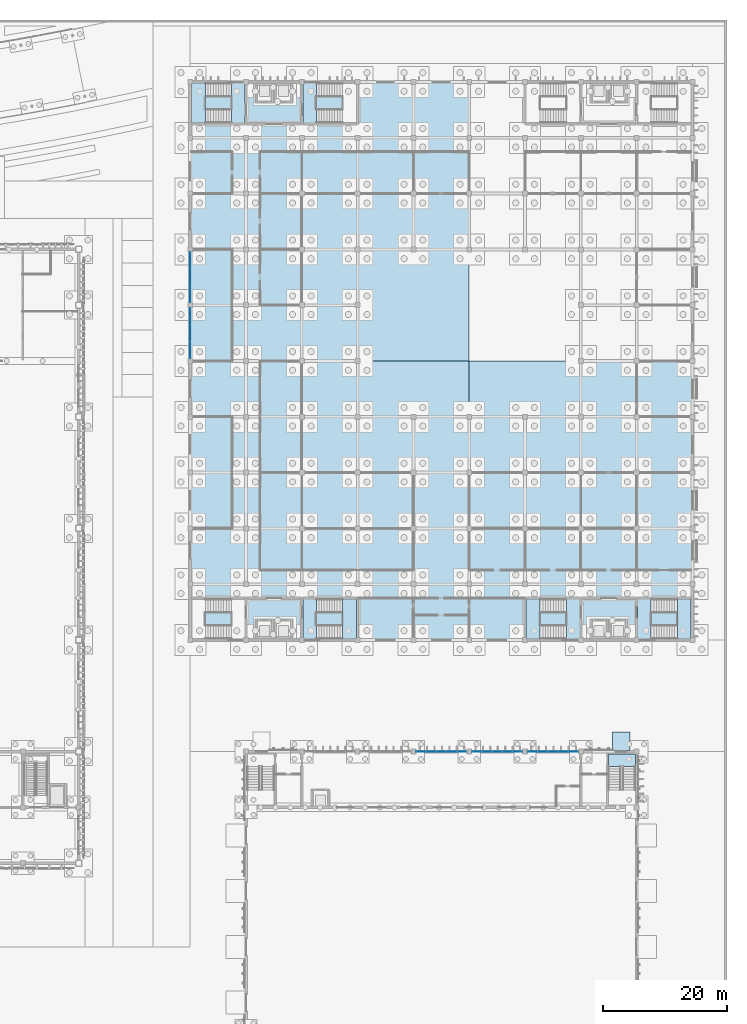
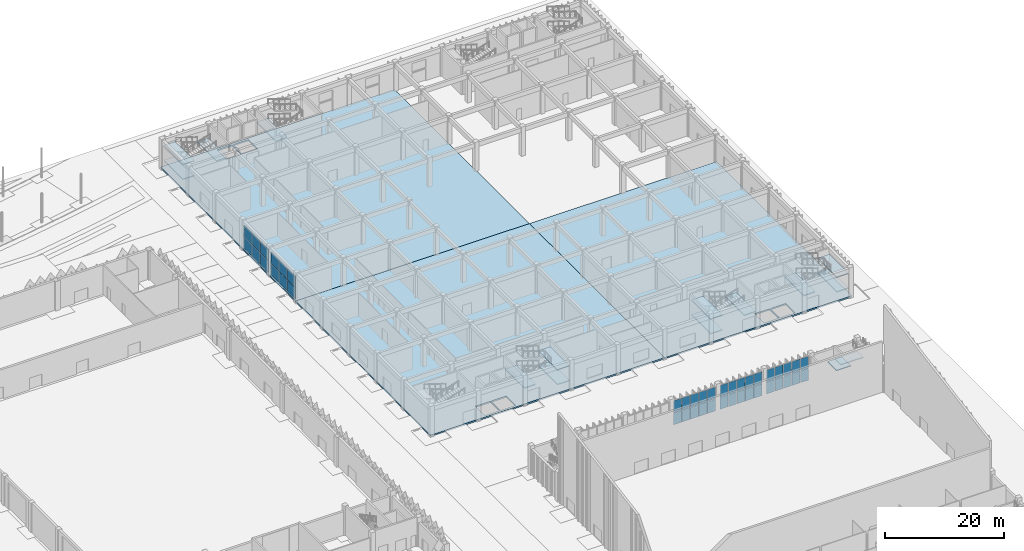
# One storey, part 75 of 198: 42 plates, 18 slabs, 11 elements without a shape of their own.
"""IFC4 building model written with IfcOpenShell, lengths in metres."""

from ifc_helpers import new_model, si_unit, direction, frame, origin, origin_2d, place, context, subcontext, project, spatial, polyline, rectangle, outline, extrude, material, layer, layer_set, type_object, element, aggregate, save


model = new_model("IFC4")

# Units and contexts
model_context = context("Model", 3, precision=1e-05, world=origin(), true_north=direction((0.0, 1.0)))
body_context = subcontext(model_context, "Body", "Model", "MODEL_VIEW")
ifc_project = project(units=[si_unit("LENGTHUNIT", "METRE"), si_unit("AREAUNIT", "SQUARE_METRE"), si_unit("VOLUMEUNIT", "CUBIC_METRE"), si_unit("PLANEANGLEUNIT", "RADIAN"), si_unit("MASSUNIT", "GRAM", prefix="KILO")], contexts=[model_context])

# Site, building, storey
site_placement = place(None, origin())
site = spatial("IfcSite", under=ifc_project, at=site_placement, CompositionType="ELEMENT")
building_placement = place(site_placement, origin())
building = spatial("IfcBuilding", under=site, at=building_placement, Name="Opaline Strait Convention Centre", CompositionType="ELEMENT")
storey_placement = place(building_placement, origin())
storey = spatial("IfcBuildingStorey", under=building, at=storey_placement, Name="L00", CompositionType="ELEMENT", Elevation=0.0)

# Curtain wall, plates
ifc_material_1 = material(Name="Aluminium 6063-T5", Category="aluminium")
ifc_layer_1 = layer(ifc_material_1, 0.199951171875)
ifc_layer_set_1 = layer_set([ifc_layer_1], Name="Aluminium 6063-T5")
curtain_wall_type_1 = type_object("IfcCurtainWallType", Name="Unitised curtain wall 1640 module", PredefinedType="NOTDEFINED", material=ifc_layer_set_1)
curtain_wall_1_placement = place(storey_placement, origin())
curtain_wall_1 = element("IfcCurtainWall", 1, at=curtain_wall_1_placement, inside=storey, type_object=curtain_wall_type_1, Name="Ballroom north curtain wall L00 bay 4", PredefinedType="NOTDEFINED")
ifc_material_2 = material(Name="Double glazed unit low emissivity", Category="glass")
ifc_layer_2 = layer(ifc_material_2, 0.028076171875)
ifc_layer_set_2 = layer_set([ifc_layer_2], Name="Double glazed unit low emissivity")
plate_type = type_object("IfcPlateType", Name="Curtain wall glass panel 28", PredefinedType="CURTAIN_PANEL", material=ifc_layer_set_2)
plate_1_placement = place(storey_placement, frame((316.23486328125, 72.0, 0.06005859375), z_axis=(0.0, 0.0, 1.0), x_axis=(1.0, 0.0, 0.0)))
plate_1 = element("IfcPlate", 2, at=plate_1_placement, type_object=plate_type, Name="BG2 panel 1.1", PredefinedType="CURTAIN_PANEL", context=body_context, shape_type="SweptSolid", body=[
    extrude(rectangle(XDim=1.550048828125, YDim=0.028076171875, at=origin_2d()), origin(), (0.0, 0.0, 1.0), 2.419921875),
])
plate_2_placement = place(storey_placement, frame((316.23486328125, 72.0, 2.5400390625), z_axis=(0.0, 0.0, 1.0), x_axis=(1.0, 0.0, 0.0)))
plate_2 = element("IfcPlate", 3, at=plate_2_placement, type_object=plate_type, Name="BG2 panel 1.2", PredefinedType="CURTAIN_PANEL", context=body_context, shape_type="SweptSolid", body=[
    extrude(rectangle(XDim=1.550048828125, YDim=0.028076171875, at=origin_2d()), origin(), (0.0, 0.0, 1.0), 2.419921875),
])
plate_3_placement = place(storey_placement, frame((317.85986328125, 72.0, 0.06005859375), z_axis=(0.0, 0.0, 1.0), x_axis=(1.0, 0.0, 0.0)))
plate_3 = element("IfcPlate", 4, at=plate_3_placement, type_object=plate_type, Name="BG2 panel 2.1", PredefinedType="CURTAIN_PANEL", context=body_context, shape_type="SweptSolid", body=[
    extrude(rectangle(XDim=1.580078125, YDim=0.028076171875, at=origin_2d()), origin(), (0.0, 0.0, 1.0), 2.419921875),
])
plate_4_placement = place(storey_placement, frame((317.85986328125, 72.0, 2.5400390625), z_axis=(0.0, 0.0, 1.0), x_axis=(1.0, 0.0, 0.0)))
plate_4 = element("IfcPlate", 5, at=plate_4_placement, type_object=plate_type, Name="BG2 panel 2.2", PredefinedType="CURTAIN_PANEL", context=body_context, shape_type="SweptSolid", body=[
    extrude(rectangle(XDim=1.580078125, YDim=0.028076171875, at=origin_2d()), origin(), (0.0, 0.0, 1.0), 2.419921875),
])
plate_5_placement = place(storey_placement, frame((319.5, 72.0, 0.06005859375), z_axis=(0.0, 0.0, 1.0), x_axis=(1.0, 0.0, 0.0)))
plate_5 = element("IfcPlate", 6, at=plate_5_placement, type_object=plate_type, Name="BG2 panel 3.1", PredefinedType="CURTAIN_PANEL", context=body_context, shape_type="SweptSolid", body=[
    extrude(rectangle(XDim=1.580078125, YDim=0.028076171875, at=origin_2d()), origin(), (0.0, 0.0, 1.0), 2.419921875),
])
plate_6_placement = place(storey_placement, frame((319.5, 72.0, 2.5400390625), z_axis=(0.0, 0.0, 1.0), x_axis=(1.0, 0.0, 0.0)))
plate_6 = element("IfcPlate", 7, at=plate_6_placement, type_object=plate_type, Name="BG2 panel 3.2", PredefinedType="CURTAIN_PANEL", context=body_context, shape_type="SweptSolid", body=[
    extrude(rectangle(XDim=1.580078125, YDim=0.028076171875, at=origin_2d()), origin(), (0.0, 0.0, 1.0), 2.419921875),
])
plate_7_placement = place(storey_placement, frame((321.14013671875, 72.0, 0.06005859375), z_axis=(0.0, 0.0, 1.0), x_axis=(1.0, 0.0, 0.0)))
plate_7 = element("IfcPlate", 8, at=plate_7_placement, type_object=plate_type, Name="BG2 panel 4.1", PredefinedType="CURTAIN_PANEL", context=body_context, shape_type="SweptSolid", body=[
    extrude(rectangle(XDim=1.580078125, YDim=0.028076171875, at=origin_2d()), origin(), (0.0, 0.0, 1.0), 2.419921875),
])
plate_8_placement = place(storey_placement, frame((321.14013671875, 72.0, 2.5400390625), z_axis=(0.0, 0.0, 1.0), x_axis=(1.0, 0.0, 0.0)))
plate_8 = element("IfcPlate", 9, at=plate_8_placement, type_object=plate_type, Name="BG2 panel 4.2", PredefinedType="CURTAIN_PANEL", context=body_context, shape_type="SweptSolid", body=[
    extrude(rectangle(XDim=1.580078125, YDim=0.028076171875, at=origin_2d()), origin(), (0.0, 0.0, 1.0), 2.419921875),
])
plate_9_placement = place(storey_placement, frame((322.76513671875, 72.0, 0.06005859375), z_axis=(0.0, 0.0, 1.0), x_axis=(1.0, 0.0, 0.0)))
plate_9 = element("IfcPlate", 10, at=plate_9_placement, type_object=plate_type, Name="BG2 panel 5.1", PredefinedType="CURTAIN_PANEL", context=body_context, shape_type="SweptSolid", body=[
    extrude(rectangle(XDim=1.550048828125, YDim=0.028076171875, at=origin_2d()), origin(), (0.0, 0.0, 1.0), 2.419921875),
])
plate_10_placement = place(storey_placement, frame((322.76513671875, 72.0, 2.5400390625), z_axis=(0.0, 0.0, 1.0), x_axis=(1.0, 0.0, 0.0)))
plate_10 = element("IfcPlate", 11, at=plate_10_placement, type_object=plate_type, Name="BG2 panel 5.2", PredefinedType="CURTAIN_PANEL", context=body_context, shape_type="SweptSolid", body=[
    extrude(rectangle(XDim=1.550048828125, YDim=0.028076171875, at=origin_2d()), origin(), (0.0, 0.0, 1.0), 2.419921875),
])
aggregate(curtain_wall_1, [plate_1, plate_2, plate_3, plate_4, plate_5, plate_6, plate_7, plate_8, plate_9, plate_10])

curtain_wall_2_placement = place(storey_placement, origin())
curtain_wall_2 = element("IfcCurtainWall", 12, at=curtain_wall_2_placement, inside=storey, type_object=curtain_wall_type_1, Name="Ballroom north curtain wall L00 bay 5", PredefinedType="NOTDEFINED")
plate_11_placement = place(storey_placement, frame((325.23486328125, 72.0, 0.06005859375), z_axis=(0.0, 0.0, 1.0), x_axis=(1.0, 0.0, 0.0)))
plate_11 = element("IfcPlate", 13, at=plate_11_placement, type_object=plate_type, Name="BG2 panel 1.1", PredefinedType="CURTAIN_PANEL", context=body_context, shape_type="SweptSolid", body=[
    extrude(rectangle(XDim=1.550048828125, YDim=0.028076171875, at=origin_2d()), origin(), (0.0, 0.0, 1.0), 2.419921875),
])
plate_12_placement = place(storey_placement, frame((325.23486328125, 72.0, 2.5400390625), z_axis=(0.0, 0.0, 1.0), x_axis=(1.0, 0.0, 0.0)))
plate_12 = element("IfcPlate", 14, at=plate_12_placement, type_object=plate_type, Name="BG2 panel 1.2", PredefinedType="CURTAIN_PANEL", context=body_context, shape_type="SweptSolid", body=[
    extrude(rectangle(XDim=1.550048828125, YDim=0.028076171875, at=origin_2d()), origin(), (0.0, 0.0, 1.0), 2.419921875),
])
plate_13_placement = place(storey_placement, frame((326.85986328125, 72.0, 0.06005859375), z_axis=(0.0, 0.0, 1.0), x_axis=(1.0, 0.0, 0.0)))
plate_13 = element("IfcPlate", 15, at=plate_13_placement, type_object=plate_type, Name="BG2 panel 2.1", PredefinedType="CURTAIN_PANEL", context=body_context, shape_type="SweptSolid", body=[
    extrude(rectangle(XDim=1.580078125, YDim=0.028076171875, at=origin_2d()), origin(), (0.0, 0.0, 1.0), 2.419921875),
])
plate_14_placement = place(storey_placement, frame((326.85986328125, 72.0, 2.5400390625), z_axis=(0.0, 0.0, 1.0), x_axis=(1.0, 0.0, 0.0)))
plate_14 = element("IfcPlate", 16, at=plate_14_placement, type_object=plate_type, Name="BG2 panel 2.2", PredefinedType="CURTAIN_PANEL", context=body_context, shape_type="SweptSolid", body=[
    extrude(rectangle(XDim=1.580078125, YDim=0.028076171875, at=origin_2d()), origin(), (0.0, 0.0, 1.0), 2.419921875),
])
plate_15_placement = place(storey_placement, frame((328.5, 72.0, 0.06005859375), z_axis=(0.0, 0.0, 1.0), x_axis=(1.0, 0.0, 0.0)))
plate_15 = element("IfcPlate", 17, at=plate_15_placement, type_object=plate_type, Name="BG2 panel 3.1", PredefinedType="CURTAIN_PANEL", context=body_context, shape_type="SweptSolid", body=[
    extrude(rectangle(XDim=1.580078125, YDim=0.028076171875, at=origin_2d()), origin(), (0.0, 0.0, 1.0), 2.419921875),
])
plate_16_placement = place(storey_placement, frame((328.5, 72.0, 2.5400390625), z_axis=(0.0, 0.0, 1.0), x_axis=(1.0, 0.0, 0.0)))
plate_16 = element("IfcPlate", 18, at=plate_16_placement, type_object=plate_type, Name="BG2 panel 3.2", PredefinedType="CURTAIN_PANEL", context=body_context, shape_type="SweptSolid", body=[
    extrude(rectangle(XDim=1.580078125, YDim=0.028076171875, at=origin_2d()), origin(), (0.0, 0.0, 1.0), 2.419921875),
])
plate_17_placement = place(storey_placement, frame((330.14013671875, 72.0, 0.06005859375), z_axis=(0.0, 0.0, 1.0), x_axis=(1.0, 0.0, 0.0)))
plate_17 = element("IfcPlate", 19, at=plate_17_placement, type_object=plate_type, Name="BG2 panel 4.1", PredefinedType="CURTAIN_PANEL", context=body_context, shape_type="SweptSolid", body=[
    extrude(rectangle(XDim=1.580078125, YDim=0.028076171875, at=origin_2d()), origin(), (0.0, 0.0, 1.0), 2.419921875),
])
plate_18_placement = place(storey_placement, frame((330.14013671875, 72.0, 2.5400390625), z_axis=(0.0, 0.0, 1.0), x_axis=(1.0, 0.0, 0.0)))
plate_18 = element("IfcPlate", 20, at=plate_18_placement, type_object=plate_type, Name="BG2 panel 4.2", PredefinedType="CURTAIN_PANEL", context=body_context, shape_type="SweptSolid", body=[
    extrude(rectangle(XDim=1.580078125, YDim=0.028076171875, at=origin_2d()), origin(), (0.0, 0.0, 1.0), 2.419921875),
])
plate_19_placement = place(storey_placement, frame((331.76513671875, 72.0, 0.06005859375), z_axis=(0.0, 0.0, 1.0), x_axis=(1.0, 0.0, 0.0)))
plate_19 = element("IfcPlate", 21, at=plate_19_placement, type_object=plate_type, Name="BG2 panel 5.1", PredefinedType="CURTAIN_PANEL", context=body_context, shape_type="SweptSolid", body=[
    extrude(rectangle(XDim=1.550048828125, YDim=0.028076171875, at=origin_2d()), origin(), (0.0, 0.0, 1.0), 2.419921875),
])
plate_20_placement = place(storey_placement, frame((331.76513671875, 72.0, 2.5400390625), z_axis=(0.0, 0.0, 1.0), x_axis=(1.0, 0.0, 0.0)))
plate_20 = element("IfcPlate", 22, at=plate_20_placement, type_object=plate_type, Name="BG2 panel 5.2", PredefinedType="CURTAIN_PANEL", context=body_context, shape_type="SweptSolid", body=[
    extrude(rectangle(XDim=1.550048828125, YDim=0.028076171875, at=origin_2d()), origin(), (0.0, 0.0, 1.0), 2.419921875),
])
aggregate(curtain_wall_2, [plate_11, plate_12, plate_13, plate_14, plate_15, plate_16, plate_17, plate_18, plate_19, plate_20])

curtain_wall_3_placement = place(storey_placement, origin())
curtain_wall_3 = element("IfcCurtainWall", 23, at=curtain_wall_3_placement, inside=storey, type_object=curtain_wall_type_1, Name="Ballroom north curtain wall L00 bay 6", PredefinedType="NOTDEFINED")
plate_21_placement = place(storey_placement, frame((334.23486328125, 72.0, 0.06005859375), z_axis=(0.0, 0.0, 1.0), x_axis=(1.0, 0.0, 0.0)))
plate_21 = element("IfcPlate", 24, at=plate_21_placement, type_object=plate_type, Name="BG2 panel 1.1", PredefinedType="CURTAIN_PANEL", context=body_context, shape_type="SweptSolid", body=[
    extrude(rectangle(XDim=1.550048828125, YDim=0.028076171875, at=origin_2d()), origin(), (0.0, 0.0, 1.0), 2.419921875),
])
plate_22_placement = place(storey_placement, frame((334.23486328125, 72.0, 2.5400390625), z_axis=(0.0, 0.0, 1.0), x_axis=(1.0, 0.0, 0.0)))
plate_22 = element("IfcPlate", 25, at=plate_22_placement, type_object=plate_type, Name="BG2 panel 1.2", PredefinedType="CURTAIN_PANEL", context=body_context, shape_type="SweptSolid", body=[
    extrude(rectangle(XDim=1.550048828125, YDim=0.028076171875, at=origin_2d()), origin(), (0.0, 0.0, 1.0), 2.419921875),
])
plate_23_placement = place(storey_placement, frame((335.85986328125, 72.0, 0.06005859375), z_axis=(0.0, 0.0, 1.0), x_axis=(1.0, 0.0, 0.0)))
plate_23 = element("IfcPlate", 26, at=plate_23_placement, type_object=plate_type, Name="BG2 panel 2.1", PredefinedType="CURTAIN_PANEL", context=body_context, shape_type="SweptSolid", body=[
    extrude(rectangle(XDim=1.580078125, YDim=0.028076171875, at=origin_2d()), origin(), (0.0, 0.0, 1.0), 2.419921875),
])
plate_24_placement = place(storey_placement, frame((335.85986328125, 72.0, 2.5400390625), z_axis=(0.0, 0.0, 1.0), x_axis=(1.0, 0.0, 0.0)))
plate_24 = element("IfcPlate", 27, at=plate_24_placement, type_object=plate_type, Name="BG2 panel 2.2", PredefinedType="CURTAIN_PANEL", context=body_context, shape_type="SweptSolid", body=[
    extrude(rectangle(XDim=1.580078125, YDim=0.028076171875, at=origin_2d()), origin(), (0.0, 0.0, 1.0), 2.419921875),
])
plate_25_placement = place(storey_placement, frame((337.5, 72.0, 0.06005859375), z_axis=(0.0, 0.0, 1.0), x_axis=(1.0, 0.0, 0.0)))
plate_25 = element("IfcPlate", 28, at=plate_25_placement, type_object=plate_type, Name="BG2 panel 3.1", PredefinedType="CURTAIN_PANEL", context=body_context, shape_type="SweptSolid", body=[
    extrude(rectangle(XDim=1.580078125, YDim=0.028076171875, at=origin_2d()), origin(), (0.0, 0.0, 1.0), 2.419921875),
])
plate_26_placement = place(storey_placement, frame((337.5, 72.0, 2.5400390625), z_axis=(0.0, 0.0, 1.0), x_axis=(1.0, 0.0, 0.0)))
plate_26 = element("IfcPlate", 29, at=plate_26_placement, type_object=plate_type, Name="BG2 panel 3.2", PredefinedType="CURTAIN_PANEL", context=body_context, shape_type="SweptSolid", body=[
    extrude(rectangle(XDim=1.580078125, YDim=0.028076171875, at=origin_2d()), origin(), (0.0, 0.0, 1.0), 2.419921875),
])
plate_27_placement = place(storey_placement, frame((339.14013671875, 72.0, 0.06005859375), z_axis=(0.0, 0.0, 1.0), x_axis=(1.0, 0.0, 0.0)))
plate_27 = element("IfcPlate", 30, at=plate_27_placement, type_object=plate_type, Name="BG2 panel 4.1", PredefinedType="CURTAIN_PANEL", context=body_context, shape_type="SweptSolid", body=[
    extrude(rectangle(XDim=1.580078125, YDim=0.028076171875, at=origin_2d()), origin(), (0.0, 0.0, 1.0), 2.419921875),
])
plate_28_placement = place(storey_placement, frame((339.14013671875, 72.0, 2.5400390625), z_axis=(0.0, 0.0, 1.0), x_axis=(1.0, 0.0, 0.0)))
plate_28 = element("IfcPlate", 31, at=plate_28_placement, type_object=plate_type, Name="BG2 panel 4.2", PredefinedType="CURTAIN_PANEL", context=body_context, shape_type="SweptSolid", body=[
    extrude(rectangle(XDim=1.580078125, YDim=0.028076171875, at=origin_2d()), origin(), (0.0, 0.0, 1.0), 2.419921875),
])
plate_29_placement = place(storey_placement, frame((340.76513671875, 72.0, 0.06005859375), z_axis=(0.0, 0.0, 1.0), x_axis=(1.0, 0.0, 0.0)))
plate_29 = element("IfcPlate", 32, at=plate_29_placement, type_object=plate_type, Name="BG2 panel 5.1", PredefinedType="CURTAIN_PANEL", context=body_context, shape_type="SweptSolid", body=[
    extrude(rectangle(XDim=1.550048828125, YDim=0.028076171875, at=origin_2d()), origin(), (0.0, 0.0, 1.0), 2.419921875),
])
plate_30_placement = place(storey_placement, frame((340.76513671875, 72.0, 2.5400390625), z_axis=(0.0, 0.0, 1.0), x_axis=(1.0, 0.0, 0.0)))
plate_30 = element("IfcPlate", 33, at=plate_30_placement, type_object=plate_type, Name="BG2 panel 5.2", PredefinedType="CURTAIN_PANEL", context=body_context, shape_type="SweptSolid", body=[
    extrude(rectangle(XDim=1.550048828125, YDim=0.028076171875, at=origin_2d()), origin(), (0.0, 0.0, 1.0), 2.419921875),
])
aggregate(curtain_wall_3, [plate_21, plate_22, plate_23, plate_24, plate_25, plate_26, plate_27, plate_28, plate_29, plate_30])

ifc_material_3 = material(Name="Aluminium framed double glazing", Category="aluminium")
ifc_layer_3 = layer(ifc_material_3, 0.199951171875)
ifc_layer_set_3 = layer_set([ifc_layer_3], Name="Aluminium framed double glazing")
curtain_wall_type_2 = type_object("IfcCurtainWallType", Name="Curtain wall 3000 module unitised", PredefinedType="NOTDEFINED", material=ifc_layer_set_3)
curtain_wall_4_placement = place(storey_placement, origin())
curtain_wall_4 = element("IfcCurtainWall", 34, at=curtain_wall_4_placement, inside=storey, type_object=curtain_wall_type_2, Name="Curtain wall W L00 32/R", PredefinedType="NOTDEFINED")
plate_31_placement = place(storey_placement, frame((279.0, 136.781494140625, 0.06005859375), z_axis=(0.0, 0.0, 1.0), x_axis=(0.0, 1.0, 0.0)))
plate_31 = element("IfcPlate", 35, at=plate_31_placement, type_object=plate_type, Name="MCWR1 panel 1.1", PredefinedType="CURTAIN_PANEL", context=body_context, shape_type="SweptSolid", body=[
    extrude(rectangle(XDim=2.643310546875, YDim=0.028076171875, at=origin_2d()), origin(), (0.0, 0.0, 1.0), 2.320068359375),
])
plate_32_placement = place(storey_placement, frame((279.0, 136.781494140625, 2.43994140625), z_axis=(0.0, 0.0, 1.0), x_axis=(0.0, 1.0, 0.0)))
plate_32 = element("IfcPlate", 36, at=plate_32_placement, type_object=plate_type, Name="MCWR1 panel 1.2", PredefinedType="CURTAIN_PANEL", context=body_context, shape_type="SweptSolid", body=[
    extrude(rectangle(XDim=2.643310546875, YDim=0.028076171875, at=origin_2d()), origin(), (0.0, 0.0, 1.0), 2.320068359375),
])
plate_33_placement = place(storey_placement, frame((279.0, 139.5, 0.06005859375), z_axis=(0.0, 0.0, 1.0), x_axis=(0.0, 1.0, 0.0)))
plate_33 = element("IfcPlate", 37, at=plate_33_placement, type_object=plate_type, Name="MCWR1 panel 2.1", PredefinedType="CURTAIN_PANEL", context=body_context, shape_type="SweptSolid", body=[
    extrude(rectangle(XDim=2.67333984375, YDim=0.028076171875, at=origin_2d()), origin(), (0.0, 0.0, 1.0), 2.320068359375),
])
plate_34_placement = place(storey_placement, frame((279.0, 139.5, 2.43994140625), z_axis=(0.0, 0.0, 1.0), x_axis=(0.0, 1.0, 0.0)))
plate_34 = element("IfcPlate", 38, at=plate_34_placement, type_object=plate_type, Name="MCWR1 panel 2.2", PredefinedType="CURTAIN_PANEL", context=body_context, shape_type="SweptSolid", body=[
    extrude(rectangle(XDim=2.67333984375, YDim=0.028076171875, at=origin_2d()), origin(), (0.0, 0.0, 1.0), 2.320068359375),
])
plate_35_placement = place(storey_placement, frame((279.0, 142.218505859375, 0.06005859375), z_axis=(0.0, 0.0, 1.0), x_axis=(0.0, 1.0, 0.0)))
plate_35 = element("IfcPlate", 39, at=plate_35_placement, type_object=plate_type, Name="MCWR1 panel 3.1", PredefinedType="CURTAIN_PANEL", context=body_context, shape_type="SweptSolid", body=[
    extrude(rectangle(XDim=2.643310546875, YDim=0.028076171875, at=origin_2d()), origin(), (0.0, 0.0, 1.0), 2.320068359375),
])
plate_36_placement = place(storey_placement, frame((279.0, 142.218505859375, 2.43994140625), z_axis=(0.0, 0.0, 1.0), x_axis=(0.0, 1.0, 0.0)))
plate_36 = element("IfcPlate", 40, at=plate_36_placement, type_object=plate_type, Name="MCWR1 panel 3.2", PredefinedType="CURTAIN_PANEL", context=body_context, shape_type="SweptSolid", body=[
    extrude(rectangle(XDim=2.643310546875, YDim=0.028076171875, at=origin_2d()), origin(), (0.0, 0.0, 1.0), 2.320068359375),
])
aggregate(curtain_wall_4, [plate_31, plate_32, plate_33, plate_34, plate_35, plate_36])

curtain_wall_5_placement = place(storey_placement, origin())
curtain_wall_5 = element("IfcCurtainWall", 41, at=curtain_wall_5_placement, inside=storey, type_object=curtain_wall_type_2, Name="Curtain wall W L00 32/S", PredefinedType="NOTDEFINED")
plate_37_placement = place(storey_placement, frame((279.0, 145.781494140625, 0.06005859375), z_axis=(0.0, 0.0, 1.0), x_axis=(0.0, 1.0, 0.0)))
plate_37 = element("IfcPlate", 42, at=plate_37_placement, type_object=plate_type, Name="MCWR1 panel 1.1", PredefinedType="CURTAIN_PANEL", context=body_context, shape_type="SweptSolid", body=[
    extrude(rectangle(XDim=2.643310546875, YDim=0.028076171875, at=origin_2d()), origin(), (0.0, 0.0, 1.0), 2.320068359375),
])
plate_38_placement = place(storey_placement, frame((279.0, 145.781494140625, 2.43994140625), z_axis=(0.0, 0.0, 1.0), x_axis=(0.0, 1.0, 0.0)))
plate_38 = element("IfcPlate", 43, at=plate_38_placement, type_object=plate_type, Name="MCWR1 panel 1.2", PredefinedType="CURTAIN_PANEL", context=body_context, shape_type="SweptSolid", body=[
    extrude(rectangle(XDim=2.643310546875, YDim=0.028076171875, at=origin_2d()), origin(), (0.0, 0.0, 1.0), 2.320068359375),
])
plate_39_placement = place(storey_placement, frame((279.0, 148.5, 0.06005859375), z_axis=(0.0, 0.0, 1.0), x_axis=(0.0, 1.0, 0.0)))
plate_39 = element("IfcPlate", 44, at=plate_39_placement, type_object=plate_type, Name="MCWR1 panel 2.1", PredefinedType="CURTAIN_PANEL", context=body_context, shape_type="SweptSolid", body=[
    extrude(rectangle(XDim=2.67333984375, YDim=0.028076171875, at=origin_2d()), origin(), (0.0, 0.0, 1.0), 2.320068359375),
])
plate_40_placement = place(storey_placement, frame((279.0, 148.5, 2.43994140625), z_axis=(0.0, 0.0, 1.0), x_axis=(0.0, 1.0, 0.0)))
plate_40 = element("IfcPlate", 45, at=plate_40_placement, type_object=plate_type, Name="MCWR1 panel 2.2", PredefinedType="CURTAIN_PANEL", context=body_context, shape_type="SweptSolid", body=[
    extrude(rectangle(XDim=2.67333984375, YDim=0.028076171875, at=origin_2d()), origin(), (0.0, 0.0, 1.0), 2.320068359375),
])
plate_41_placement = place(storey_placement, frame((279.0, 151.218505859375, 0.06005859375), z_axis=(0.0, 0.0, 1.0), x_axis=(0.0, 1.0, 0.0)))
plate_41 = element("IfcPlate", 46, at=plate_41_placement, type_object=plate_type, Name="MCWR1 panel 3.1", PredefinedType="CURTAIN_PANEL", context=body_context, shape_type="SweptSolid", body=[
    extrude(rectangle(XDim=2.643310546875, YDim=0.028076171875, at=origin_2d()), origin(), (0.0, 0.0, 1.0), 2.320068359375),
])
plate_42_placement = place(storey_placement, frame((279.0, 151.218505859375, 2.43994140625), z_axis=(0.0, 0.0, 1.0), x_axis=(0.0, 1.0, 0.0)))
plate_42 = element("IfcPlate", 47, at=plate_42_placement, type_object=plate_type, Name="MCWR1 panel 3.2", PredefinedType="CURTAIN_PANEL", context=body_context, shape_type="SweptSolid", body=[
    extrude(rectangle(XDim=2.643310546875, YDim=0.028076171875, at=origin_2d()), origin(), (0.0, 0.0, 1.0), 2.320068359375),
])
aggregate(curtain_wall_5, [plate_37, plate_38, plate_39, plate_40, plate_41, plate_42])

# Slabs
ifc_material_4 = material(Name="Concrete C30", Category="concrete")
ifc_layer_4 = layer(ifc_material_4, 0.14990234375)
ifc_layer_set_4 = layer_set([ifc_layer_4], Name="Concrete C30")
slab_type_1 = type_object("IfcSlabType", Name="Exit apron paving 150 C30", PredefinedType="BASESLAB", material=ifc_layer_set_4)
slab_1_placement = place(storey_placement, frame((0.0, 0.0, -0.14990234375)))
element("IfcSlab", 48, at=slab_1_placement, inside=storey, type_object=slab_type_1, Name="Exit apron AP-SNE", PredefinedType="BASESLAB", context=body_context, shape_type="SweptSolid", body=[
    extrude(outline(polyline([(347.10009765625, 72.199951171875), (349.89990234375, 72.199951171875), (349.89990234375, 75.199951171875), (347.10009765625, 75.199951171875), (347.10009765625, 72.199951171875)])), origin(), (0.0, 0.0, 1.0), 0.14990234375),
])
ifc_layer_5 = layer(ifc_material_4, 0.300048828125)
ifc_layer_set_5 = layer_set([ifc_layer_5], Name="Concrete C30")
slab_type_2 = type_object("IfcSlabType", Name="RC ground slab 300 C30", PredefinedType="BASESLAB", material=ifc_layer_set_5)
slab_2_placement = place(storey_placement, frame((0.0, 0.0, -0.300048828125)))
element("IfcSlab", 49, at=slab_2_placement, inside=storey, type_object=slab_type_2, Name="MGS1 L00 slab pour SW", PredefinedType="BASESLAB", context=body_context, shape_type="SweptSolid", body=[
    extrude(outline(polyline([(278.800048828125, 135.0), (324.0, 135.0), (324.0, 89.800048828125), (278.800048828125, 89.800048828125), (278.800048828125, 135.0)]), holes=[polyline([(289.5, 90.25), (292.39990234375, 90.25), (292.39990234375, 93.35009765625), (289.5, 93.35009765625), (289.5, 90.25)]), polyline([(292.60009765625, 90.25), (295.5, 90.25), (295.5, 93.35009765625), (292.60009765625, 93.35009765625), (292.60009765625, 90.25)])]), origin(), (0.0, 0.0, 1.0), 0.300048828125),
])
slab_3_placement = place(storey_placement, frame((0.0, 0.0, -0.300048828125)))
element("IfcSlab", 50, at=slab_3_placement, inside=storey, type_object=slab_type_2, Name="MGS1 L00 slab pour SE", PredefinedType="BASESLAB", context=body_context, shape_type="SweptSolid", body=[
    extrude(outline(polyline([(360.199951171875, 89.800048828125), (324.0, 89.800048828125), (324.0, 135.0), (360.199951171875, 135.0), (360.199951171875, 89.800048828125)]), holes=[polyline([(343.5, 90.25), (346.39990234375, 90.25), (346.39990234375, 93.35009765625), (343.5, 93.35009765625), (343.5, 90.25)]), polyline([(346.60009765625, 90.25), (349.5, 90.25), (349.5, 93.35009765625), (346.60009765625, 93.35009765625), (346.60009765625, 90.25)])]), origin(), (0.0, 0.0, 1.0), 0.300048828125),
])
slab_4_placement = place(storey_placement, frame((0.0, 0.0, -0.300048828125)))
element("IfcSlab", 51, at=slab_4_placement, inside=storey, type_object=slab_type_2, Name="MGS1 L00 slab pour NW", PredefinedType="BASESLAB", context=body_context, shape_type="SweptSolid", body=[
    extrude(outline(polyline([(278.800048828125, 180.199951171875), (324.0, 180.199951171875), (324.0, 135.0), (278.800048828125, 135.0), (278.800048828125, 180.199951171875)]), holes=[polyline([(289.5, 176.64990234375), (292.39990234375, 176.64990234375), (292.39990234375, 179.75), (289.5, 179.75), (289.5, 176.64990234375)]), polyline([(292.60009765625, 176.64990234375), (295.5, 176.64990234375), (295.5, 179.75), (292.60009765625, 179.75), (292.60009765625, 176.64990234375)])]), origin(), (0.0, 0.0, 1.0), 0.300048828125),
])

# Stair, slab
ifc_material_5 = material(Name="Concrete C40", Category="concrete")
stair_type_1 = type_object("IfcStairType", Name="Exit stair two flights 2000", PredefinedType="HALF_TURN_STAIR", material=ifc_material_5)
stair_1_placement = place(storey_placement, origin())
stair_1 = element("IfcStair", 52, at=stair_1_placement, inside=storey, type_object=stair_type_1, Name="L00 Ballroom stair NE", ObjectType="BS4", PredefinedType="HALF_TURN_STAIR")
ifc_layer_6 = layer(ifc_material_5, 0.199951171875)
ifc_layer_set_6 = layer_set([ifc_layer_6], Name="Concrete C40")
slab_type_3 = type_object("IfcSlabType", Name="Stair landing 200 C40", PredefinedType="LANDING", material=ifc_layer_set_6)
slab_5_placement = place(storey_placement, frame((0.0, 0.0, 2.800048828125)))
slab_5 = element("IfcSlab", 53, at=slab_5_placement, type_object=slab_type_3, Name="B-STNE landing 2", ObjectType="RSL1", PredefinedType="LANDING", context=body_context, shape_type="SweptSolid", body=[
    extrude(outline(polyline([(346.449951171875, 71.60009765625), (346.449951171875, 69.60009765625), (350.800048828125, 69.60009765625), (350.800048828125, 71.60009765625), (346.449951171875, 71.60009765625)])), origin(), (0.0, 0.0, 1.0), 0.199951171875),
])
aggregate(stair_1, [slab_5])

# Stair, slabs
stair_type_2 = type_object("IfcStairType", Name="Escape stair half-turn 2200 concrete C40", PredefinedType="HALF_TURN_STAIR", material=ifc_material_5)
stair_2_placement = place(storey_placement, origin())
stair_2 = element("IfcStair", 54, at=stair_2_placement, inside=storey, type_object=stair_type_2, Name="L00 Stair S2-MTG", ObjectType="MST1", PredefinedType="HALF_TURN_STAIR")
ifc_layer_7 = layer(ifc_material_5, 0.199951171875)
ifc_layer_set_7 = layer_set([ifc_layer_7], Name="Concrete C40")
slab_type_4 = type_object("IfcSlabType", Name="Stair landing 200 concrete C40", PredefinedType="LANDING", material=ifc_layer_set_7)
slab_6_placement = place(storey_placement, frame((0.0, 0.0, 1.300048828125)))
slab_6 = element("IfcSlab", 55, at=slab_6_placement, type_object=slab_type_4, Name="S2 landing 1", ObjectType="MSL1", PredefinedType="LANDING", context=body_context, shape_type="SweptSolid", body=[
    extrude(outline(polyline([(303.5498046875, 90.199951171875), (305.849853515625, 90.199951171875), (305.849853515625, 96.599853515625), (303.5498046875, 96.599853515625), (303.5498046875, 90.199951171875)])), origin(), (0.0, 0.0, 1.0), 0.199951171875),
])
slab_7_placement = place(storey_placement, frame((0.0, 0.0, 2.800048828125)))
slab_7 = element("IfcSlab", 56, at=slab_7_placement, type_object=slab_type_4, Name="S2 landing 2", ObjectType="MSL1", PredefinedType="LANDING", context=body_context, shape_type="SweptSolid", body=[
    extrude(outline(polyline([(297.14990234375, 90.199951171875), (299.349853515625, 90.199951171875), (299.349853515625, 96.599853515625), (297.14990234375, 96.599853515625), (297.14990234375, 90.199951171875)])), origin(), (0.0, 0.0, 1.0), 0.199951171875),
])
slab_8_placement = place(storey_placement, frame((0.0, 0.0, 4.300048828125)))
slab_8 = element("IfcSlab", 57, at=slab_8_placement, type_object=slab_type_4, Name="S2 landing 3", ObjectType="MSL1", PredefinedType="LANDING", context=body_context, shape_type="SweptSolid", body=[
    extrude(outline(polyline([(303.5498046875, 90.199951171875), (305.849853515625, 90.199951171875), (305.849853515625, 96.599853515625), (303.5498046875, 96.599853515625), (303.5498046875, 90.199951171875)])), origin(), (0.0, 0.0, 1.0), 0.199951171875),
])
aggregate(stair_2, [slab_6, slab_7, slab_8])

stair_3_placement = place(storey_placement, origin())
stair_3 = element("IfcStair", 58, at=stair_3_placement, inside=storey, type_object=stair_type_2, Name="L00 Stair S3-MTG", ObjectType="MST1", PredefinedType="HALF_TURN_STAIR")
slab_9_placement = place(storey_placement, frame((0.0, 0.0, 1.300048828125)))
slab_9 = element("IfcSlab", 59, at=slab_9_placement, type_object=slab_type_4, Name="S3 landing 1", ObjectType="MSL1", PredefinedType="LANDING", context=body_context, shape_type="SweptSolid", body=[
    extrude(outline(polyline([(357.5498046875, 90.199951171875), (359.7998046875, 90.199951171875), (359.7998046875, 96.599853515625), (357.5498046875, 96.599853515625), (357.5498046875, 90.199951171875)])), origin(), (0.0, 0.0, 1.0), 0.199951171875),
])
slab_10_placement = place(storey_placement, frame((0.0, 0.0, 2.800048828125)))
slab_10 = element("IfcSlab", 60, at=slab_10_placement, type_object=slab_type_4, Name="S3 landing 2", ObjectType="MSL1", PredefinedType="LANDING", context=body_context, shape_type="SweptSolid", body=[
    extrude(outline(polyline([(351.14990234375, 90.199951171875), (353.349853515625, 90.199951171875), (353.349853515625, 96.599853515625), (351.14990234375, 96.599853515625), (351.14990234375, 90.199951171875)])), origin(), (0.0, 0.0, 1.0), 0.199951171875),
])
slab_11_placement = place(storey_placement, frame((0.0, 0.0, 4.300048828125)))
slab_11 = element("IfcSlab", 61, at=slab_11_placement, type_object=slab_type_4, Name="S3 landing 3", ObjectType="MSL1", PredefinedType="LANDING", context=body_context, shape_type="SweptSolid", body=[
    extrude(outline(polyline([(357.5498046875, 90.199951171875), (359.7998046875, 90.199951171875), (359.7998046875, 96.599853515625), (357.5498046875, 96.599853515625), (357.5498046875, 90.199951171875)])), origin(), (0.0, 0.0, 1.0), 0.199951171875),
])
aggregate(stair_3, [slab_9, slab_10, slab_11])

stair_4_placement = place(storey_placement, origin())
stair_4 = element("IfcStair", 62, at=stair_4_placement, inside=storey, type_object=stair_type_2, Name="L00 Stair S4-MTG", ObjectType="MST1", PredefinedType="HALF_TURN_STAIR")
slab_12_placement = place(storey_placement, frame((0.0, 0.0, 1.300048828125)))
slab_12 = element("IfcSlab", 63, at=slab_12_placement, type_object=slab_type_4, Name="S4 landing 1", ObjectType="MSL1", PredefinedType="LANDING", context=body_context, shape_type="SweptSolid", body=[
    extrude(outline(polyline([(335.4501953125, 96.60009765625), (333.150146484375, 96.60009765625), (333.150146484375, 90.2001953125), (335.4501953125, 90.2001953125), (335.4501953125, 96.60009765625)])), origin(), (0.0, 0.0, 1.0), 0.199951171875),
])
slab_13_placement = place(storey_placement, frame((0.0, 0.0, 2.800048828125)))
slab_13 = element("IfcSlab", 64, at=slab_13_placement, type_object=slab_type_4, Name="S4 landing 2", ObjectType="MSL1", PredefinedType="LANDING", context=body_context, shape_type="SweptSolid", body=[
    extrude(outline(polyline([(341.85009765625, 96.60009765625), (339.650146484375, 96.60009765625), (339.650146484375, 90.2001953125), (341.85009765625, 90.2001953125), (341.85009765625, 96.60009765625)])), origin(), (0.0, 0.0, 1.0), 0.199951171875),
])
slab_14_placement = place(storey_placement, frame((0.0, 0.0, 4.300048828125)))
slab_14 = element("IfcSlab", 65, at=slab_14_placement, type_object=slab_type_4, Name="S4 landing 3", ObjectType="MSL1", PredefinedType="LANDING", context=body_context, shape_type="SweptSolid", body=[
    extrude(outline(polyline([(335.4501953125, 96.60009765625), (333.150146484375, 96.60009765625), (333.150146484375, 90.2001953125), (335.4501953125, 90.2001953125), (335.4501953125, 96.60009765625)])), origin(), (0.0, 0.0, 1.0), 0.199951171875),
])
aggregate(stair_4, [slab_12, slab_13, slab_14])

stair_5_placement = place(storey_placement, origin())
stair_5 = element("IfcStair", 66, at=stair_5_placement, inside=storey, type_object=stair_type_2, Name="L00 Stair S5-MTG", ObjectType="MST1", PredefinedType="HALF_TURN_STAIR")
slab_15_placement = place(storey_placement, frame((0.0, 0.0, 1.300048828125)))
slab_15 = element("IfcSlab", 67, at=slab_15_placement, type_object=slab_type_4, Name="S5 landing 1", ObjectType="MSL1", PredefinedType="LANDING", context=body_context, shape_type="SweptSolid", body=[
    extrude(outline(polyline([(281.4501953125, 179.800048828125), (279.2001953125, 179.800048828125), (279.2001953125, 173.400146484375), (281.4501953125, 173.400146484375), (281.4501953125, 179.800048828125)])), origin(), (0.0, 0.0, 1.0), 0.199951171875),
])
slab_16_placement = place(storey_placement, frame((0.0, 0.0, 2.800048828125)))
slab_16 = element("IfcSlab", 68, at=slab_16_placement, type_object=slab_type_4, Name="S5 landing 2", ObjectType="MSL1", PredefinedType="LANDING", context=body_context, shape_type="SweptSolid", body=[
    extrude(outline(polyline([(287.85009765625, 179.800048828125), (285.650146484375, 179.800048828125), (285.650146484375, 173.400146484375), (287.85009765625, 173.400146484375), (287.85009765625, 179.800048828125)])), origin(), (0.0, 0.0, 1.0), 0.199951171875),
])
slab_17_placement = place(storey_placement, frame((0.0, 0.0, 4.300048828125)))
slab_17 = element("IfcSlab", 69, at=slab_17_placement, type_object=slab_type_4, Name="S5 landing 3", ObjectType="MSL1", PredefinedType="LANDING", context=body_context, shape_type="SweptSolid", body=[
    extrude(outline(polyline([(281.4501953125, 179.800048828125), (279.2001953125, 179.800048828125), (279.2001953125, 173.400146484375), (281.4501953125, 173.400146484375), (281.4501953125, 179.800048828125)])), origin(), (0.0, 0.0, 1.0), 0.199951171875),
])
aggregate(stair_5, [slab_15, slab_16, slab_17])

# Stair, slab
stair_6_placement = place(storey_placement, origin())
stair_6 = element("IfcStair", 70, at=stair_6_placement, inside=storey, type_object=stair_type_2, Name="L00 Stair S6-MTG", ObjectType="MST1", PredefinedType="HALF_TURN_STAIR")
slab_18_placement = place(storey_placement, frame((0.0, 0.0, 2.800048828125)))
slab_18 = element("IfcSlab", 71, at=slab_18_placement, type_object=slab_type_4, Name="S6 landing 2", ObjectType="MSL1", PredefinedType="LANDING", context=body_context, shape_type="SweptSolid", body=[
    extrude(outline(polyline([(297.14990234375, 173.39990234375), (299.349853515625, 173.39990234375), (299.349853515625, 179.7998046875), (297.14990234375, 179.7998046875), (297.14990234375, 173.39990234375)])), origin(), (0.0, 0.0, 1.0), 0.199951171875),
])
aggregate(stair_6, [slab_18])

save(model, "model.ifc")
